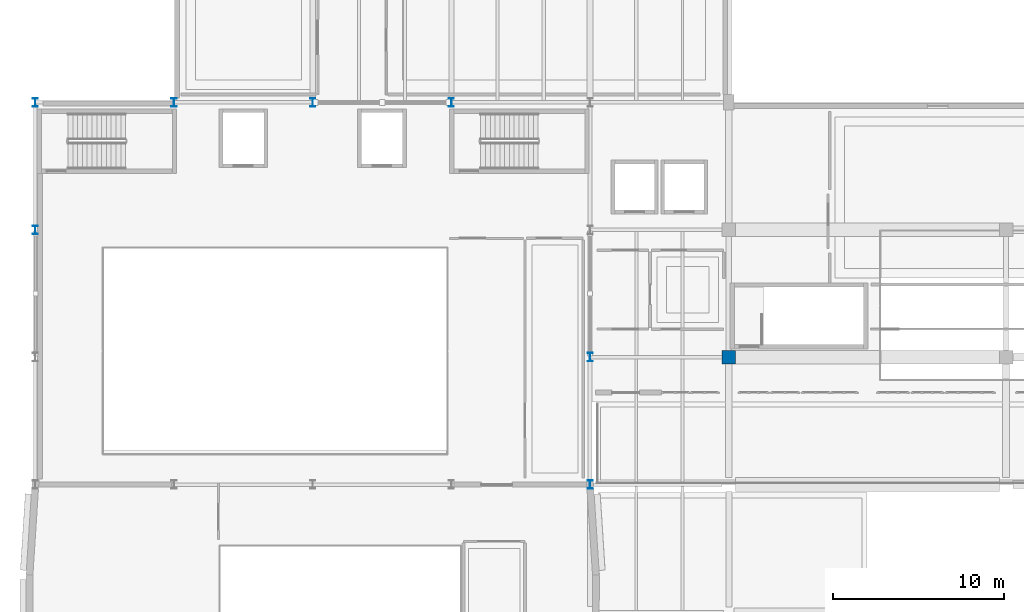
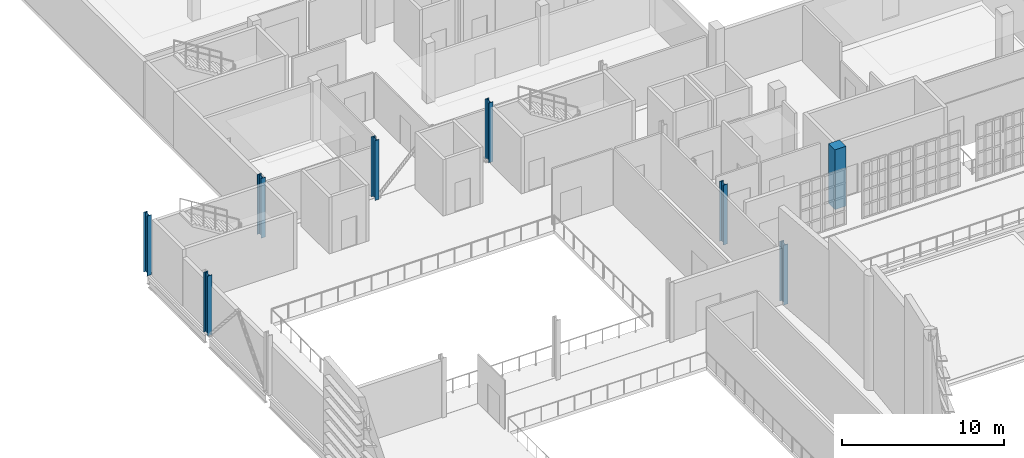
# One storey, part 2 of 56: 8 columns.
"""IFC4 building model written with IfcOpenShell, lengths in metres."""

from ifc_helpers import new_model, si_unit, direction, frame, origin, origin_2d, place, context, subcontext, project, spatial, rectangle, i_section, extrude, material, material_profile, profile_set, type_object, element, save


model = new_model("IFC4")

# Units and contexts
model_context = context("Model", 3, precision=1e-05, world=origin(), true_north=direction((0.0, 1.0)))
body_context = subcontext(model_context, "Body", "Model", "MODEL_VIEW")
ifc_project = project(units=[si_unit("LENGTHUNIT", "METRE"), si_unit("AREAUNIT", "SQUARE_METRE"), si_unit("VOLUMEUNIT", "CUBIC_METRE"), si_unit("PLANEANGLEUNIT", "RADIAN"), si_unit("MASSUNIT", "GRAM", prefix="KILO")], contexts=[model_context])

# Site, building, storey
site_placement = place(None, origin())
site = spatial("IfcSite", under=ifc_project, at=site_placement, CompositionType="ELEMENT")
building_placement = place(site_placement, origin())
building = spatial("IfcBuilding", under=site, at=building_placement, Name="Kaelora Sail Theatre", CompositionType="ELEMENT")
storey_placement = place(building_placement, frame((0.0, 0.0, 14.699951171875)))
storey = spatial("IfcBuildingStorey", under=building, at=storey_placement, Name="L03", CompositionType="ELEMENT", Elevation=14.699951171875)

# Columns
ifc_material_1 = material(Name="Steel S355", Category="steel")
ifc_material_profile_1 = material_profile(ifc_material_1, i_section(OverallWidth=0.300048828125, OverallDepth=0.5, WebThickness=0.014404296875, FlangeThickness=0.028076171875, FilletRadius=0.027099609375, at=origin_2d()), Name="HEB 500")
ifc_profile_set_1 = profile_set([ifc_material_profile_1], Name="Steel S355")
column_type_1 = type_object("IfcColumnType", Name="STR-COL-C-HEB500", PredefinedType="COLUMN", material=ifc_profile_set_1)
for number, where, z_axis, x_axis, name in (
    (1, (25.800048828125, 75.89990234375, 0.0), (0.0, 0.0, 1.0), (1.0, 0.0, 0.0), "Column 4/K (L03)"),
    (2, (25.800048828125, 83.340087890625, 0.0), (0.0, 0.0, 1.0), (1.0, 0.0, 0.0), "Column 4/L (L03)"),
    (3, (33.89990234375, 83.340087890625, 0.0), (0.0, 0.0, 1.0), (1.0, 0.0, 0.0), "Column 5/L (L03)"),
    (4, (42.0, 83.340087890625, 0.0), (0.0, 0.0, 1.0), (1.0, 0.0, 0.0), "Column 6/L (L03)"),
    (5, (50.10009765625, 83.340087890625, 0.0), (0.0, 0.0, 1.0), (1.0, 0.0, 0.0), "Column 7/L (L03)"),
    (6, (58.199951171875, 61.02001953125, 0.0), (0.0, 0.0, 1.0), (1.0, 0.0, 0.0), "Column 8/I (L03)"),
    (7, (58.199951171875, 68.4599609375, 0.0), (0.0, 0.0, 1.0), (1.0, 0.0, 0.0), "Column 8/J (L03)"),
):
    element("IfcColumn", number, at=place(storey_placement, frame(where, z_axis=z_axis, x_axis=x_axis)), inside=storey, type_object=column_type_1, Name=name, PredefinedType="COLUMN", context=body_context, shape_type="SweptSolid", body=[
        extrude(i_section(OverallWidth=0.300048828125, OverallDepth=0.5, WebThickness=0.014404296875, FlangeThickness=0.028076171875, FilletRadius=0.027099609375, at=origin_2d()), origin(), (0.0, 0.0, 1.0), 4.5),
    ])
ifc_material_2 = material(Name="Concrete C50/60", Category="concrete")
ifc_material_profile_2 = material_profile(ifc_material_2, rectangle(XDim=0.800048828125, YDim=0.800048828125, at=origin_2d()), Name="RC-COL 800x800")
ifc_profile_set_2 = profile_set([ifc_material_profile_2], Name="Concrete C50/60")
column_type_2 = type_object("IfcColumnType", Name="STR-COL-C-RC800", PredefinedType="COLUMN", material=ifc_profile_set_2)
column_placement = place(storey_placement, frame((66.300048828125, 68.4599609375, 0.0), z_axis=(0.0, 0.0, 1.0), x_axis=(1.0, 0.0, 0.0)))
element("IfcColumn", 8, at=column_placement, inside=storey, type_object=column_type_2, Name="Column 9/J (L03)", PredefinedType="COLUMN", context=body_context, shape_type="SweptSolid", body=[
    extrude(rectangle(XDim=0.800048828125, YDim=0.800048828125, at=origin_2d()), origin(), (0.0, 0.0, 1.0), 4.5),
])

save(model, "model.ifc")
